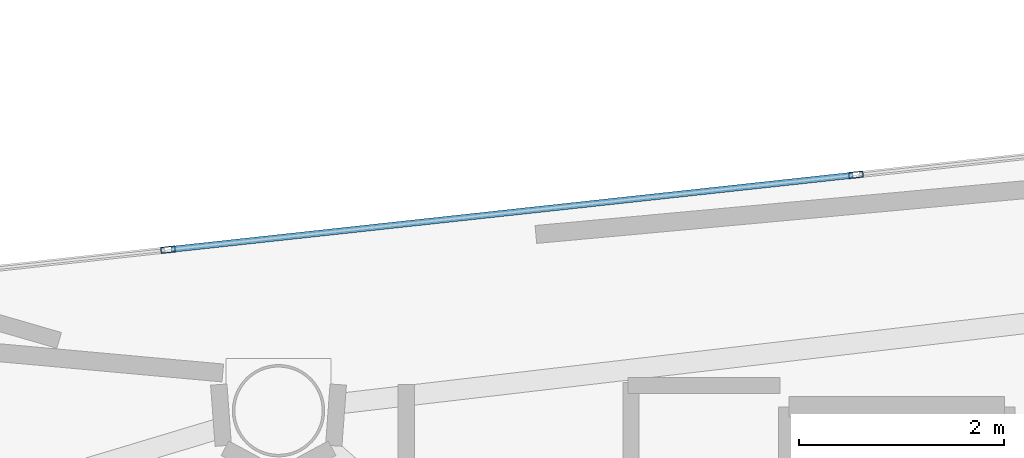
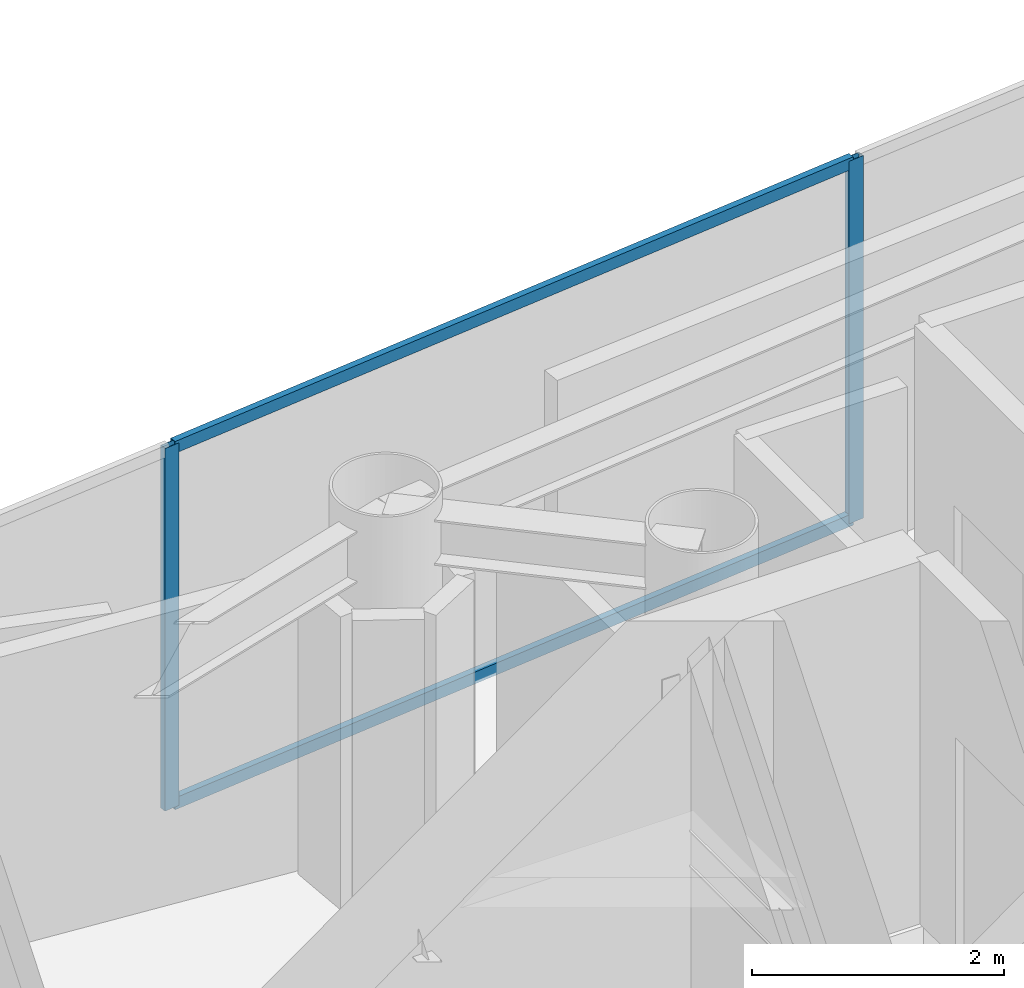
# One storey, part 11 of 19: 4 members, 1 element without a shape of its own.
"""IFC4 building model written with IfcOpenShell, lengths in metres."""

from ifc_helpers import new_model, si_unit, direction, frame, origin, origin_2d, place, context, subcontext, project, spatial, hollow_rectangle, extrude, material, layer, layer_set, material_profile, profile_set, type_object, element, aggregate, save


model = new_model("IFC4")

# Units and contexts
model_context = context("Model", 3, precision=1e-05, world=origin(), true_north=direction((0.0, 1.0)))
body_context = subcontext(model_context, "Body", "Model", "MODEL_VIEW")
ifc_project = project(units=[si_unit("LENGTHUNIT", "METRE"), si_unit("AREAUNIT", "SQUARE_METRE"), si_unit("VOLUMEUNIT", "CUBIC_METRE"), si_unit("PLANEANGLEUNIT", "RADIAN"), si_unit("MASSUNIT", "GRAM", prefix="KILO")], contexts=[model_context])

# Site, building, storey
site_placement = place(None, origin())
site = spatial("IfcSite", under=ifc_project, at=site_placement, CompositionType="ELEMENT")
building_placement = place(site_placement, origin())
building = spatial("IfcBuilding", under=site, at=building_placement, Name="Qianvela Tower", CompositionType="ELEMENT")
storey_placement = place(building_placement, frame((0.0, 0.0, 280.60009765625)))
storey = spatial("IfcBuildingStorey", under=building, at=storey_placement, Name="L72", CompositionType="ELEMENT", Elevation=280.60009765625)

# Curtain wall, members
ifc_material_1 = material(Name="Anodised Architectural Aluminium and Low-E Glass", Category="aluminium")
ifc_layer = layer(ifc_material_1, 0.14990234375)
ifc_layer_set = layer_set([ifc_layer], Name="Anodised Architectural Aluminium and Low-E Glass")
curtain_wall_type = type_object("IfcCurtainWallType", Name="CW-COLIV-Z78", PredefinedType="USERDEFINED", material=ifc_layer_set)
curtain_wall_placement = place(storey_placement, origin())
curtain_wall = element("IfcCurtainWall", 1, at=curtain_wall_placement, inside=storey, type_object=curtain_wall_type, Name="L72 CW-COLIV-Z78 Curtain Wall 02A", ObjectType="CURTAIN_WALL_SYSTEM", PredefinedType="USERDEFINED")
ifc_material_2 = material(Name="Anodised Architectural Aluminium 6063-T6", Category="aluminium")
ifc_material_profile_1 = material_profile(ifc_material_2, hollow_rectangle(XDim=0.06005859375, YDim=0.139892578125, WallThickness=0.00439453125, at=origin_2d()), Name="ALU-MULL-60x140")
ifc_profile_set_1 = profile_set([ifc_material_profile_1], Name="Anodised Architectural Aluminium 6063-T6")
member_type_1 = type_object("IfcMemberType", Name="CW-COLIV-Z78-MULL", PredefinedType="MULLION", material=ifc_profile_set_1)
member_1_placement = place(storey_placement, frame((42.1025390625, 37.541015625, 0.0), z_axis=(0.0, 0.0, 1.0), x_axis=(0.108120123252, -0.994137836996, 0.0)))
member_1 = element("IfcMember", 2, at=member_1_placement, type_object=member_type_1, Name="CW-6 mullion 3", PredefinedType="MULLION", context=body_context, shape_type="SweptSolid", body=[
    extrude(hollow_rectangle(XDim=0.06005859375, YDim=0.139892578125, WallThickness=0.00439453125, at=origin_2d()), origin(), (0.0, 0.0, 1.0), 3.52001953125),
])
member_2_placement = place(storey_placement, frame((35.399658203125, 36.81201171875, 0.0), z_axis=(0.0, 0.0, 1.0), x_axis=(0.108120123252, -0.994137836996, 0.0)))
member_2 = element("IfcMember", 3, at=member_2_placement, type_object=member_type_1, Name="CW-6 mullion 4", PredefinedType="MULLION", context=body_context, shape_type="SweptSolid", body=[
    extrude(hollow_rectangle(XDim=0.06005859375, YDim=0.139892578125, WallThickness=0.00439453125, at=origin_2d()), origin(), (0.0, 0.0, 1.0), 3.52001953125),
])
ifc_material_3 = material(Name="Anodised Architectural Aluminium 6063-T6", Category="aluminium")
ifc_material_profile_2 = material_profile(ifc_material_3, hollow_rectangle(XDim=0.06005859375, YDim=0.114990234375, WallThickness=0.00390625, at=origin_2d()), Name="ALU-TRAN-60x115")
ifc_profile_set_2 = profile_set([ifc_material_profile_2], Name="Anodised Architectural Aluminium 6063-T6")
member_type_2 = type_object("IfcMemberType", Name="CW-COLIV-Z78-TRAN", PredefinedType="USERDEFINED", material=ifc_profile_set_2)
member_3_placement = place(storey_placement, frame((42.07275390625, 37.53759765625, 0.02978515625), z_axis=(-0.994139428049, -0.108105492911, 0.0), x_axis=(0.108105492911, -0.994139428049, 0.0)))
member_3 = element("IfcMember", 4, at=member_3_placement, type_object=member_type_2, Name="CW-6 transom 3.1", ObjectType="TRANSOM", PredefinedType="USERDEFINED", context=body_context, shape_type="SweptSolid", body=[
    extrude(hollow_rectangle(XDim=0.06005859375, YDim=0.114990234375, WallThickness=0.00390625, at=origin_2d()), origin(), (0.0, 0.0, 1.0), 6.682373046875),
])
member_4_placement = place(storey_placement, frame((42.07275390625, 37.53759765625, 3.489990234375), z_axis=(-0.994139428049, -0.108105492911, 0.0), x_axis=(0.108105492911, -0.994139428049, 0.0)))
member_4 = element("IfcMember", 5, at=member_4_placement, type_object=member_type_2, Name="CW-6 transom 3.2", ObjectType="TRANSOM", PredefinedType="USERDEFINED", context=body_context, shape_type="SweptSolid", body=[
    extrude(hollow_rectangle(XDim=0.06005859375, YDim=0.114990234375, WallThickness=0.00390625, at=origin_2d()), origin(), (0.0, 0.0, 1.0), 6.682373046875),
])
aggregate(curtain_wall, [member_1, member_2, member_3, member_4])

save(model, "model.ifc")
